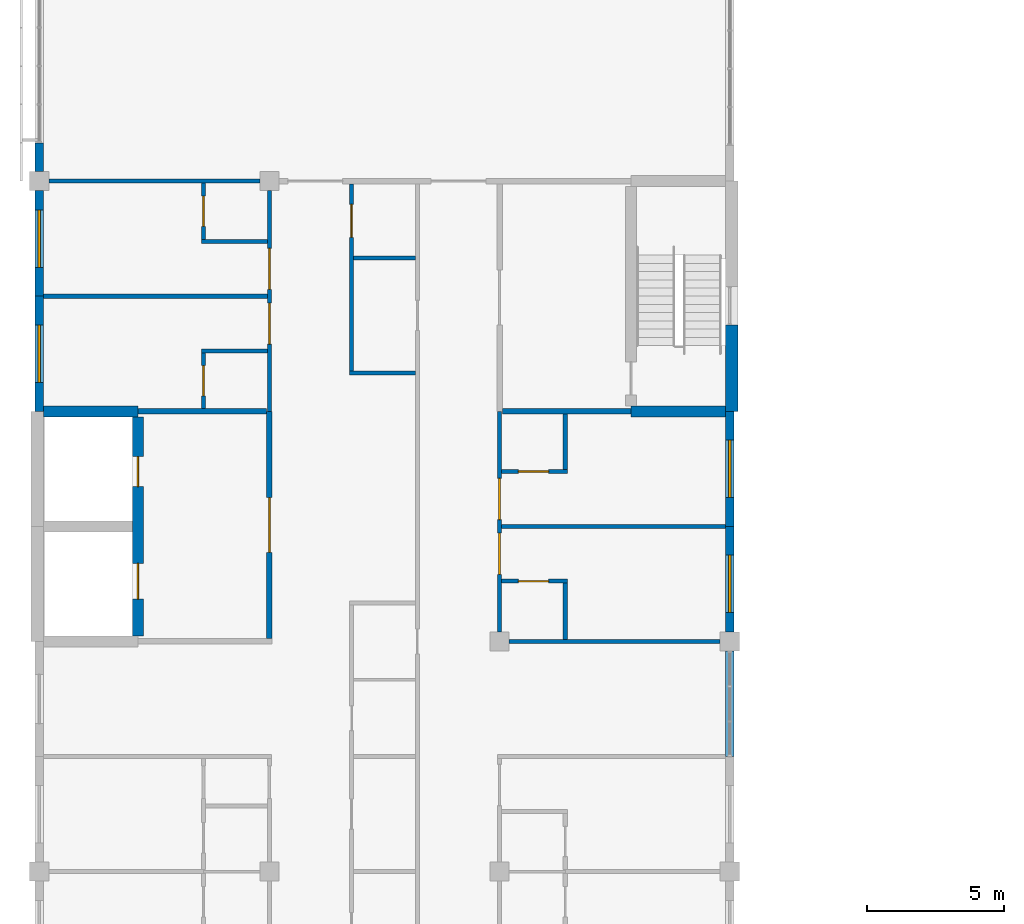
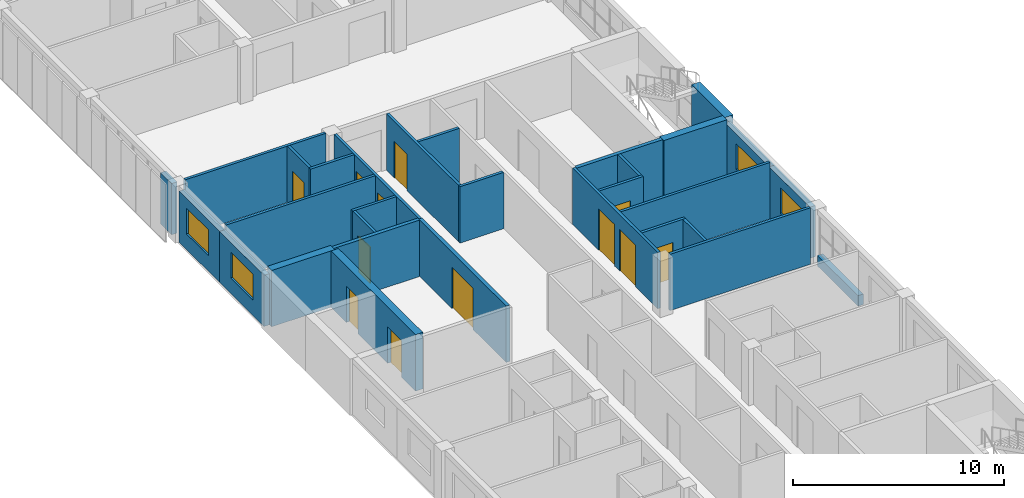
# One storey, part 31 of 45: 30 walls, 12 doors, 4 windows, 16 openings.
"""IFC4 building model written with IfcOpenShell, lengths in metres."""

from ifc_helpers import new_model, si_unit, direction, frame, frame_2d, origin, place, context, subcontext, project, spatial, rectangle, extrude, material, layer, layer_set, type_object, element, fill, save


model = new_model("IFC4")

# Units and contexts
model_context = context("Model", 3, precision=1e-05, world=origin(), true_north=direction((0.0, 1.0)))
body_context = subcontext(model_context, "Body", "Model", "MODEL_VIEW")
ifc_project = project(units=[si_unit("LENGTHUNIT", "METRE"), si_unit("AREAUNIT", "SQUARE_METRE"), si_unit("VOLUMEUNIT", "CUBIC_METRE"), si_unit("PLANEANGLEUNIT", "RADIAN"), si_unit("MASSUNIT", "GRAM", prefix="KILO")], contexts=[model_context])

# Site, building, storey
site_placement = place(None, origin())
site = spatial("IfcSite", under=ifc_project, at=site_placement, CompositionType="ELEMENT")
building_placement = place(site_placement, origin())
building = spatial("IfcBuilding", under=site, at=building_placement, Name="Yavir Park General Hospital", CompositionType="ELEMENT")
storey_placement = place(building_placement, frame((0.0, 0.0, 22.5)))
storey = spatial("IfcBuildingStorey", under=building, at=storey_placement, Name="L05", CompositionType="ELEMENT", Elevation=22.5)

# Walls
ifc_material_1 = material(Name="Double gypsum board fire partition on steel studs", Category="steel")
ifc_layer_1 = layer(ifc_material_1, 0.199951171875)
ifc_layer_set_1 = layer_set([ifc_layer_1], Name="Double gypsum board fire partition on steel studs")
wall_type_1 = type_object("IfcWallType", Name="Fire-rated partition 200, EI 60", PredefinedType="PARTITIONING", material=ifc_layer_set_1)
wall_1_placement = place(storey_placement, frame((3.60009765625, 75.60009765625, 0.0), z_axis=(0.0, 0.0, 1.0), x_axis=(1.0, 0.0, 0.0)))
element("IfcWall", 1, at=wall_1_placement, inside=storey, type_object=wall_type_1, Name="FP20 L05-102", PredefinedType="PARTITIONING", context=body_context, shape_type="SweptSolid", body=[
    extrude(rectangle(XDim=4.699951171875, YDim=0.199951171875, at=frame_2d((2.35009765625, 0.0))), origin(), (0.0, 0.0, 1.0), 3.260009765625),
])
wall_2_placement = place(storey_placement, frame((16.89990234375, 75.60009765625, 0.0), z_axis=(0.0, 0.0, 1.0), x_axis=(1.0, 0.0, 0.0)))
element("IfcWall", 2, at=wall_2_placement, inside=storey, type_object=wall_type_1, Name="FP20 L05-103", PredefinedType="PARTITIONING", context=body_context, shape_type="SweptSolid", body=[
    extrude(rectangle(XDim=4.7001953125, YDim=0.199951171875, at=frame_2d((2.35009765625, 0.0))), origin(), (0.0, 0.0, 1.0), 3.260009765625),
])

# Wall, opening, door
wall_3_placement = place(storey_placement, frame((8.39990234375, 67.300048828125, 0.0), z_axis=(0.0, 0.0, 1.0), x_axis=(0.0, 1.0, 0.0)))
wall_3 = element("IfcWall", 3, at=wall_3_placement, inside=storey, type_object=wall_type_1, Name="FP20 L05-167", PredefinedType="PARTITIONING", context=body_context, shape_type="SweptSolid", body=[
    extrude(rectangle(XDim=8.300048828125, YDim=0.199951171875, at=frame_2d((4.14990234375, 0.0))), origin(), (0.0, 0.0, 1.0), 3.260009765625),
])
opening_1_placement = place(wall_3_placement, frame((3.14990234375, 0.0, 0.0)))
opening_1 = element("IfcOpeningElement", 4, at=opening_1_placement, cuts=wall_3, Name="Opening L05.D099", PredefinedType="OPENING", context=body_context, shape_type="SweptSolid", body=[
    extrude(rectangle(XDim=2.0, YDim=2.39990234375, at=frame_2d((1.0, 1.199951171875))), frame((0.0, 0.10986328125, 0.0), z_axis=(0.0, -1.0, 0.0), x_axis=(1.0, 0.0, 0.0)), (0.0, 0.0, 1.0), 0.219970703125),
])
ifc_material_2 = material(Name="Steel frame, fire-resisting leaves with vision panels", Category="steel")
door_type_1 = type_object("IfcDoorType", Name="Double fire door with vision panels 2000 x 2400, EI 60", OperationType="DOUBLE_DOOR_SINGLE_SWING", PredefinedType="DOOR", material=ifc_material_2)
door_1_placement = place(opening_1_placement, origin())
door_1 = element("IfcDoor", 5, at=door_1_placement, inside=storey, type_object=door_type_1, Name="L05.D099", OperationType="SINGLE_SWING_LEFT", OverallHeight=2.39990234375, OverallWidth=2.0, PredefinedType="DOOR", context=body_context, shape_type="SweptSolid", body=[
    extrude(rectangle(XDim=2.0, YDim=2.39990234375, at=frame_2d((1.0, 1.199951171875))), frame((0.0, 0.030029296875, 0.0), z_axis=(0.0, -1.0, 0.0), x_axis=(1.0, 0.0, 0.0)), (0.0, 0.0, 1.0), 0.06005859375),
])
fill(opening_1, door_1)

# Wall
ifc_material_3 = material(Name="Gypsum board partition on steel studs", Category="steel")
ifc_layer_2 = layer(ifc_material_3, 0.14990234375)
ifc_layer_set_2 = layer_set([ifc_layer_2], Name="Gypsum board partition on steel studs")
wall_type_2 = type_object("IfcWallType", Name="Gypsum board partition 150", PredefinedType="PARTITIONING", material=ifc_layer_set_2)
wall_4_placement = place(storey_placement, frame((17.14990234375, 67.199951171875, 0.0), z_axis=(0.0, 0.0, 1.0), x_axis=(1.0, 0.0, 0.0)))
element("IfcWall", 6, at=wall_4_placement, inside=storey, type_object=wall_type_2, Name="P15 L05-095", PredefinedType="PARTITIONING", context=body_context, shape_type="SweptSolid", body=[
    extrude(rectangle(XDim=7.7001953125, YDim=0.14990234375, at=frame_2d((3.85009765625, 0.0))), origin(), (0.0, 0.0, 1.0), 3.260009765625),
])

# Wall, opening, door
wall_5_placement = place(storey_placement, frame((16.875, 69.39990234375, 0.0), z_axis=(0.0, 0.0, 1.0), x_axis=(1.0, 0.0, 0.0)))
wall_5 = element("IfcWall", 7, at=wall_5_placement, inside=storey, type_object=wall_type_2, Name="P15 L05-097", PredefinedType="PARTITIONING", context=body_context, shape_type="SweptSolid", body=[
    extrude(rectangle(XDim=2.39990234375, YDim=0.14990234375, at=frame_2d((1.199951171875, 0.0))), origin(), (0.0, 0.0, 1.0), 3.260009765625),
])
opening_2_placement = place(wall_5_placement, frame((0.612548828125, 0.0, 0.0)))
opening_2 = element("IfcOpeningElement", 8, at=opening_2_placement, cuts=wall_5, Name="Opening L05.D066", PredefinedType="OPENING", context=body_context, shape_type="SweptSolid", body=[
    extrude(rectangle(XDim=1.10009765625, YDim=2.10009765625, at=frame_2d((0.550048828125, 1.050048828125))), frame((0.0, 0.0849609375, 0.0), z_axis=(0.0, -1.0, 0.0), x_axis=(1.0, 0.0, 0.0)), (0.0, 0.0, 1.0), 0.169921875),
])
ifc_material_4 = material(Name="Hollow metal frame, solid-core timber leaf", Category="wood")
door_type_2 = type_object("IfcDoorType", Name="Single swing door 1100 x 2100", OperationType="SINGLE_SWING_LEFT", PredefinedType="DOOR", material=ifc_material_4)
door_2_placement = place(opening_2_placement, origin())
door_2 = element("IfcDoor", 9, at=door_2_placement, inside=storey, type_object=door_type_2, Name="L05.D066", OperationType="SINGLE_SWING_RIGHT", OverallHeight=2.10009765625, OverallWidth=1.10009765625, PredefinedType="DOOR", context=body_context, shape_type="SweptSolid", body=[
    extrude(rectangle(XDim=1.10009765625, YDim=2.10009765625, at=frame_2d((0.550048828125, 1.050048828125))), frame((0.0, 0.02490234375, 0.0), z_axis=(0.0, -1.0, 0.0), x_axis=(1.0, 0.0, 0.0)), (0.0, 0.0, 1.0), 0.050048828125),
])
fill(opening_2, door_2)

# Wall
wall_6_placement = place(storey_placement, frame((16.875, 71.39990234375, 0.0), z_axis=(0.0, 0.0, 1.0), x_axis=(1.0, 0.0, 0.0)))
element("IfcWall", 10, at=wall_6_placement, inside=storey, type_object=wall_type_2, Name="P15 L05-099", PredefinedType="PARTITIONING", context=body_context, shape_type="SweptSolid", body=[
    extrude(rectangle(XDim=8.175048828125, YDim=0.14990234375, at=frame_2d((4.08740234375, 0.0))), origin(), (0.0, 0.0, 1.0), 3.260009765625),
])

# Wall, opening, door
wall_7_placement = place(storey_placement, frame((16.875, 73.39990234375, 0.0), z_axis=(0.0, 0.0, 1.0), x_axis=(1.0, 0.0, 0.0)))
wall_7 = element("IfcWall", 11, at=wall_7_placement, inside=storey, type_object=wall_type_2, Name="P15 L05-100", PredefinedType="PARTITIONING", context=body_context, shape_type="SweptSolid", body=[
    extrude(rectangle(XDim=2.39990234375, YDim=0.14990234375, at=frame_2d((1.199951171875, 0.0))), origin(), (0.0, 0.0, 1.0), 3.260009765625),
])
opening_3_placement = place(wall_7_placement, frame((0.612548828125, 0.0, 0.0)))
opening_3 = element("IfcOpeningElement", 12, at=opening_3_placement, cuts=wall_7, Name="Opening L05.D067", PredefinedType="OPENING", context=body_context, shape_type="SweptSolid", body=[
    extrude(rectangle(XDim=1.10009765625, YDim=2.10009765625, at=frame_2d((0.550048828125, 1.050048828125))), frame((0.0, 0.0849609375, 0.0), z_axis=(0.0, -1.0, 0.0), x_axis=(1.0, 0.0, 0.0)), (0.0, 0.0, 1.0), 0.169921875),
])
door_3_placement = place(opening_3_placement, origin())
door_3 = element("IfcDoor", 13, at=door_3_placement, inside=storey, type_object=door_type_2, Name="L05.D067", OperationType="SINGLE_SWING_LEFT", OverallHeight=2.10009765625, OverallWidth=1.10009765625, PredefinedType="DOOR", context=body_context, shape_type="SweptSolid", body=[
    extrude(rectangle(XDim=1.10009765625, YDim=2.10009765625, at=frame_2d((0.550048828125, 1.050048828125))), frame((0.0, 0.02490234375, 0.0), z_axis=(0.0, -1.0, 0.0), x_axis=(1.0, 0.0, 0.0)), (0.0, 0.0, 1.0), 0.050048828125),
])
fill(opening_3, door_3)

# Walls
wall_8_placement = place(storey_placement, frame((11.324951171875, 77.0, 0.0), z_axis=(0.0, 0.0, 1.0), x_axis=(1.0, 0.0, 0.0)))
element("IfcWall", 14, at=wall_8_placement, inside=storey, type_object=wall_type_2, Name="P15 L05-105", PredefinedType="PARTITIONING", context=body_context, shape_type="SweptSolid", body=[
    extrude(rectangle(XDim=2.400146484375, YDim=0.14990234375, at=frame_2d((1.2001953125, 0.0))), origin(), (0.0, 0.0, 1.0), 3.260009765625),
])
wall_9_placement = place(storey_placement, frame((5.925048828125, 77.800048828125, 0.0), z_axis=(0.0, 0.0, 1.0), x_axis=(1.0, 0.0, 0.0)))
element("IfcWall", 15, at=wall_9_placement, inside=storey, type_object=wall_type_2, Name="P15 L05-106", PredefinedType="PARTITIONING", context=body_context, shape_type="SweptSolid", body=[
    extrude(rectangle(XDim=2.39990234375, YDim=0.14990234375, at=frame_2d((1.199951171875, 0.0))), origin(), (0.0, 0.0, 1.0), 3.260009765625),
])
wall_10_placement = place(storey_placement, frame((0.14990234375, 79.800048828125, 0.0), z_axis=(0.0, 0.0, 1.0), x_axis=(1.0, 0.0, 0.0)))
element("IfcWall", 16, at=wall_10_placement, inside=storey, type_object=wall_type_2, Name="P15 L05-107", PredefinedType="PARTITIONING", context=body_context, shape_type="SweptSolid", body=[
    extrude(rectangle(XDim=8.175048828125, YDim=0.14990234375, at=frame_2d((4.08740234375, 0.0))), origin(), (0.0, 0.0, 1.0), 3.260009765625),
])
wall_11_placement = place(storey_placement, frame((11.47509765625, 81.199951171875, 0.0), z_axis=(0.0, 0.0, 1.0), x_axis=(1.0, 0.0, 0.0)))
element("IfcWall", 17, at=wall_11_placement, inside=storey, type_object=wall_type_2, Name="P15 L05-108", PredefinedType="PARTITIONING", context=body_context, shape_type="SweptSolid", body=[
    extrude(rectangle(XDim=2.25, YDim=0.14990234375, at=frame_2d((1.125, 0.0))), origin(), (0.0, 0.0, 1.0), 3.260009765625),
])
wall_12_placement = place(storey_placement, frame((5.925048828125, 81.800048828125, 0.0), z_axis=(0.0, 0.0, 1.0), x_axis=(1.0, 0.0, 0.0)))
element("IfcWall", 18, at=wall_12_placement, inside=storey, type_object=wall_type_2, Name="P15 L05-109", PredefinedType="PARTITIONING", context=body_context, shape_type="SweptSolid", body=[
    extrude(rectangle(XDim=2.39990234375, YDim=0.14990234375, at=frame_2d((1.199951171875, 0.0))), origin(), (0.0, 0.0, 1.0), 3.260009765625),
])
wall_13_placement = place(storey_placement, frame((0.35009765625, 84.0, 0.0), z_axis=(0.0, 0.0, 1.0), x_axis=(1.0, 0.0, 0.0)))
element("IfcWall", 19, at=wall_13_placement, inside=storey, type_object=wall_type_2, Name="P15 L05-110", PredefinedType="PARTITIONING", context=body_context, shape_type="SweptSolid", body=[
    extrude(rectangle(XDim=7.699951171875, YDim=0.14990234375, at=frame_2d((3.85009765625, 0.0))), origin(), (0.0, 0.0, 1.0), 3.260009765625),
])

# Wall, opening, door
wall_14_placement = place(storey_placement, frame((6.0, 75.699951171875, 0.0), z_axis=(0.0, 0.0, 1.0), x_axis=(0.0, 1.0, 0.0)))
wall_14 = element("IfcWall", 20, at=wall_14_placement, inside=storey, type_object=wall_type_2, Name="P15 L05-151", PredefinedType="PARTITIONING", context=body_context, shape_type="SweptSolid", body=[
    extrude(rectangle(XDim=2.025146484375, YDim=0.14990234375, at=frame_2d((1.0126953125, 0.0))), origin(), (0.0, 0.0, 1.0), 3.260009765625),
])
opening_4_placement = place(wall_14_placement, frame((0.46240234375, 0.0, 0.0)))
opening_4 = element("IfcOpeningElement", 21, at=opening_4_placement, cuts=wall_14, Name="Opening L05.D086", PredefinedType="OPENING", context=body_context, shape_type="SweptSolid", body=[
    extrude(rectangle(XDim=1.10009765625, YDim=2.10009765625, at=frame_2d((0.550048828125, 1.050048828125))), frame((0.0, 0.0849609375, 0.0), z_axis=(0.0, -1.0, 0.0), x_axis=(1.0, 0.0, 0.0)), (0.0, 0.0, 1.0), 0.169921875),
])
door_4_placement = place(opening_4_placement, origin())
door_4 = element("IfcDoor", 22, at=door_4_placement, inside=storey, type_object=door_type_2, Name="L05.D086", OperationType="SINGLE_SWING_RIGHT", OverallHeight=2.10009765625, OverallWidth=1.10009765625, PredefinedType="DOOR", context=body_context, shape_type="SweptSolid", body=[
    extrude(rectangle(XDim=1.10009765625, YDim=2.10009765625, at=frame_2d((0.550048828125, 1.050048828125))), frame((0.0, 0.02490234375, 0.0), z_axis=(0.0, -1.0, 0.0), x_axis=(1.0, 0.0, 0.0)), (0.0, 0.0, 1.0), 0.050048828125),
])
fill(opening_4, door_4)

wall_15_placement = place(storey_placement, frame((6.0, 81.875, 0.0), z_axis=(0.0, 0.0, 1.0), x_axis=(0.0, 1.0, 0.0)))
wall_15 = element("IfcWall", 23, at=wall_15_placement, inside=storey, type_object=wall_type_2, Name="P15 L05-152", PredefinedType="PARTITIONING", context=body_context, shape_type="SweptSolid", body=[
    extrude(rectangle(XDim=2.050048828125, YDim=0.14990234375, at=frame_2d((1.02490234375, 0.0))), origin(), (0.0, 0.0, 1.0), 3.260009765625),
])
opening_5_placement = place(wall_15_placement, frame((0.47509765625, 0.0, 0.0)))
opening_5 = element("IfcOpeningElement", 24, at=opening_5_placement, cuts=wall_15, Name="Opening L05.D087", PredefinedType="OPENING", context=body_context, shape_type="SweptSolid", body=[
    extrude(rectangle(XDim=1.10009765625, YDim=2.10009765625, at=frame_2d((0.550048828125, 1.050048828125))), frame((0.0, 0.0849609375, 0.0), z_axis=(0.0, -1.0, 0.0), x_axis=(1.0, 0.0, 0.0)), (0.0, 0.0, 1.0), 0.169921875),
])
door_5_placement = place(opening_5_placement, origin())
door_5 = element("IfcDoor", 25, at=door_5_placement, inside=storey, type_object=door_type_2, Name="L05.D087", OperationType="SINGLE_SWING_LEFT", OverallHeight=2.10009765625, OverallWidth=1.10009765625, PredefinedType="DOOR", context=body_context, shape_type="SweptSolid", body=[
    extrude(rectangle(XDim=1.10009765625, YDim=2.10009765625, at=frame_2d((0.550048828125, 1.050048828125))), frame((0.0, 0.02490234375, 0.0), z_axis=(0.0, -1.0, 0.0), x_axis=(1.0, 0.0, 0.0)), (0.0, 0.0, 1.0), 0.050048828125),
])
fill(opening_5, door_5)

# Wall, openings, doors
wall_16_placement = place(storey_placement, frame((8.39990234375, 75.60009765625, 0.0), z_axis=(0.0, 0.0, 1.0), x_axis=(0.0, 1.0, 0.0)))
wall_16 = element("IfcWall", 26, at=wall_16_placement, inside=storey, type_object=wall_type_2, Name="P15 L05-168", PredefinedType="PARTITIONING", context=body_context, shape_type="SweptSolid", body=[
    extrude(rectangle(XDim=8.0498046875, YDim=0.14990234375, at=frame_2d((4.02490234375, 0.0))), origin(), (0.0, 0.0, 1.0), 3.260009765625),
])
opening_6_placement = place(wall_16_placement, frame((2.449951171875, 0.0, 0.0)))
opening_6 = element("IfcOpeningElement", 27, at=opening_6_placement, cuts=wall_16, Name="Opening L05.D100", PredefinedType="OPENING", context=body_context, shape_type="SweptSolid", body=[
    extrude(rectangle(XDim=1.5, YDim=2.39990234375, at=frame_2d((0.75, 1.199951171875))), frame((0.0, 0.0849609375, 0.0), z_axis=(0.0, -1.0, 0.0), x_axis=(1.0, 0.0, 0.0)), (0.0, 0.0, 1.0), 0.169921875),
])
opening_7_placement = place(wall_16_placement, frame((4.449951171875, 0.0, 0.0)))
opening_7 = element("IfcOpeningElement", 28, at=opening_7_placement, cuts=wall_16, Name="Opening L05.D101", PredefinedType="OPENING", context=body_context, shape_type="SweptSolid", body=[
    extrude(rectangle(XDim=1.5, YDim=2.39990234375, at=frame_2d((0.75, 1.199951171875))), frame((0.0, 0.0849609375, 0.0), z_axis=(0.0, -1.0, 0.0), x_axis=(1.0, 0.0, 0.0)), (0.0, 0.0, 1.0), 0.169921875),
])
ifc_material_5 = material(Name="Solid-core timber leaves, push plates, kick plates", Category="wood")
door_type_3 = type_object("IfcDoorType", Name="Bed door, unequal leaves 1500 x 2400", OperationType="DOUBLE_DOOR_SINGLE_SWING", PredefinedType="DOOR", material=ifc_material_5)
door_6_placement = place(opening_6_placement, origin())
door_6 = element("IfcDoor", 29, at=door_6_placement, inside=storey, type_object=door_type_3, Name="L05.D100", OperationType="SINGLE_SWING_RIGHT", OverallHeight=2.39990234375, OverallWidth=1.5, PredefinedType="DOOR", context=body_context, shape_type="SweptSolid", body=[
    extrude(rectangle(XDim=1.5, YDim=2.39990234375, at=frame_2d((0.75, 1.199951171875))), frame((0.0, 0.030029296875, 0.0), z_axis=(0.0, -1.0, 0.0), x_axis=(1.0, 0.0, 0.0)), (0.0, 0.0, 1.0), 0.06005859375),
])
fill(opening_6, door_6)
door_7_placement = place(opening_7_placement, origin())
door_7 = element("IfcDoor", 30, at=door_7_placement, inside=storey, type_object=door_type_3, Name="L05.D101", OperationType="SINGLE_SWING_RIGHT", OverallHeight=2.39990234375, OverallWidth=1.5, PredefinedType="DOOR", context=body_context, shape_type="SweptSolid", body=[
    extrude(rectangle(XDim=1.5, YDim=2.39990234375, at=frame_2d((0.75, 1.199951171875))), frame((0.0, 0.030029296875, 0.0), z_axis=(0.0, -1.0, 0.0), x_axis=(1.0, 0.0, 0.0)), (0.0, 0.0, 1.0), 0.06005859375),
])
fill(opening_7, door_7)

# Wall, opening, door
wall_17_placement = place(storey_placement, frame((11.39990234375, 77.074951171875, 0.0), z_axis=(0.0, 0.0, 1.0), x_axis=(0.0, 1.0, 0.0)))
wall_17 = element("IfcWall", 31, at=wall_17_placement, inside=storey, type_object=wall_type_2, Name="P15 L05-176", PredefinedType="PARTITIONING", context=body_context, shape_type="SweptSolid", body=[
    extrude(rectangle(XDim=6.824951171875, YDim=0.14990234375, at=frame_2d((3.41259765625, 0.0))), origin(), (0.0, 0.0, 1.0), 3.260009765625),
])
opening_8_placement = place(wall_17_placement, frame((4.875, 0.0, 0.0)))
opening_8 = element("IfcOpeningElement", 32, at=opening_8_placement, cuts=wall_17, Name="Opening L05.D111", PredefinedType="OPENING", context=body_context, shape_type="SweptSolid", body=[
    extrude(rectangle(XDim=1.199951171875, YDim=2.10009765625, at=frame_2d((0.60009765625, 1.050048828125))), frame((0.0, 0.0849609375, 0.0), z_axis=(0.0, -1.0, 0.0), x_axis=(1.0, 0.0, 0.0)), (0.0, 0.0, 1.0), 0.169921875),
])
ifc_material_6 = material(Name="Hollow metal frame, solid-core timber leaf", Category="wood")
door_type_4 = type_object("IfcDoorType", Name="Single swing door 1200 x 2100", OperationType="SINGLE_SWING_LEFT", PredefinedType="DOOR", material=ifc_material_6)
door_8_placement = place(opening_8_placement, origin())
door_8 = element("IfcDoor", 33, at=door_8_placement, inside=storey, type_object=door_type_4, Name="L05.D111", OperationType="SINGLE_SWING_LEFT", OverallHeight=2.10009765625, OverallWidth=1.199951171875, PredefinedType="DOOR", context=body_context, shape_type="SweptSolid", body=[
    extrude(rectangle(XDim=1.199951171875, YDim=2.10009765625, at=frame_2d((0.60009765625, 1.050048828125))), frame((0.0, 0.02490234375, 0.0), z_axis=(0.0, -1.0, 0.0), x_axis=(1.0, 0.0, 0.0)), (0.0, 0.0, 1.0), 0.050048828125),
])
fill(opening_8, door_8)

# Wall, openings, doors
wall_18_placement = place(storey_placement, frame((16.800048828125, 67.550048828125, 0.0), z_axis=(0.0, 0.0, 1.0), x_axis=(0.0, 1.0, 0.0)))
wall_18 = element("IfcWall", 34, at=wall_18_placement, inside=storey, type_object=wall_type_2, Name="P15 L05-191", PredefinedType="PARTITIONING", context=body_context, shape_type="SweptSolid", body=[
    extrude(rectangle(XDim=8.050048828125, YDim=0.14990234375, at=frame_2d((4.02490234375, 0.0))), origin(), (0.0, 0.0, 1.0), 3.260009765625),
])
opening_9_placement = place(wall_18_placement, frame((2.10009765625, 0.0, 0.0)))
opening_9 = element("IfcOpeningElement", 35, at=opening_9_placement, cuts=wall_18, Name="Opening L05.D125", PredefinedType="OPENING", context=body_context, shape_type="SweptSolid", body=[
    extrude(rectangle(XDim=1.5, YDim=2.39990234375, at=frame_2d((0.75, 1.199951171875))), frame((0.0, 0.0849609375, 0.0), z_axis=(0.0, -1.0, 0.0), x_axis=(1.0, 0.0, 0.0)), (0.0, 0.0, 1.0), 0.169921875),
])
opening_10_placement = place(wall_18_placement, frame((4.10009765625, 0.0, 0.0)))
opening_10 = element("IfcOpeningElement", 36, at=opening_10_placement, cuts=wall_18, Name="Opening L05.D126", PredefinedType="OPENING", context=body_context, shape_type="SweptSolid", body=[
    extrude(rectangle(XDim=1.5, YDim=2.39990234375, at=frame_2d((0.75, 1.199951171875))), frame((0.0, 0.0849609375, 0.0), z_axis=(0.0, -1.0, 0.0), x_axis=(1.0, 0.0, 0.0)), (0.0, 0.0, 1.0), 0.169921875),
])
door_9_placement = place(opening_9_placement, origin())
door_9 = element("IfcDoor", 37, at=door_9_placement, inside=storey, type_object=door_type_3, Name="L05.D125", OperationType="SINGLE_SWING_LEFT", OverallHeight=2.39990234375, OverallWidth=1.5, PredefinedType="DOOR", context=body_context, shape_type="SweptSolid", body=[
    extrude(rectangle(XDim=1.5, YDim=2.39990234375, at=frame_2d((0.75, 1.199951171875))), frame((0.0, 0.030029296875, 0.0), z_axis=(0.0, -1.0, 0.0), x_axis=(1.0, 0.0, 0.0)), (0.0, 0.0, 1.0), 0.06005859375),
])
fill(opening_9, door_9)
door_10_placement = place(opening_10_placement, origin())
door_10 = element("IfcDoor", 38, at=door_10_placement, inside=storey, type_object=door_type_3, Name="L05.D126", OperationType="SINGLE_SWING_LEFT", OverallHeight=2.39990234375, OverallWidth=1.5, PredefinedType="DOOR", context=body_context, shape_type="SweptSolid", body=[
    extrude(rectangle(XDim=1.5, YDim=2.39990234375, at=frame_2d((0.75, 1.199951171875))), frame((0.0, 0.030029296875, 0.0), z_axis=(0.0, -1.0, 0.0), x_axis=(1.0, 0.0, 0.0)), (0.0, 0.0, 1.0), 0.06005859375),
])
fill(opening_10, door_10)

# Walls
wall_19_placement = place(storey_placement, frame((19.199951171875, 67.27490234375, 0.0), z_axis=(0.0, 0.0, 1.0), x_axis=(0.0, 1.0, 0.0)))
element("IfcWall", 39, at=wall_19_placement, inside=storey, type_object=wall_type_2, Name="P15 L05-201", PredefinedType="PARTITIONING", context=body_context, shape_type="SweptSolid", body=[
    extrude(rectangle(XDim=2.050048828125, YDim=0.14990234375, at=frame_2d((1.02490234375, 0.0))), origin(), (0.0, 0.0, 1.0), 3.260009765625),
])
wall_20_placement = place(storey_placement, frame((19.199951171875, 73.47509765625, 0.0), z_axis=(0.0, 0.0, 1.0), x_axis=(0.0, 1.0, 0.0)))
element("IfcWall", 40, at=wall_20_placement, inside=storey, type_object=wall_type_2, Name="P15 L05-202", PredefinedType="PARTITIONING", context=body_context, shape_type="SweptSolid", body=[
    extrude(rectangle(XDim=2.02490234375, YDim=0.14990234375, at=frame_2d((1.012451171875, 0.0))), origin(), (0.0, 0.0, 1.0), 3.260009765625),
])

# Wall, opening, window
ifc_material_7 = material(Name="Autoclaved aerated block, mineral wool and ochre mineral render")
ifc_layer_3 = layer(ifc_material_7, 0.300048828125)
ifc_layer_set_3 = layer_set([ifc_layer_3], Name="Autoclaved aerated block, mineral wool and ochre mineral render")
wall_type_3 = type_object("IfcWallType", Name="Ochre render ward wall 300, E 30", PredefinedType="SOLIDWALL", material=ifc_layer_set_3)
wall_21_placement = place(storey_placement, frame((0.0, 75.60009765625, 0.0), z_axis=(0.0, 0.0, 1.0), x_axis=(0.0, 1.0, 0.0)))
wall_21 = element("IfcWall", 41, at=wall_21_placement, inside=storey, type_object=wall_type_3, Name="XW7 L05-089", PredefinedType="SOLIDWALL", context=body_context, shape_type="SweptSolid", body=[
    extrude(rectangle(XDim=4.199951171875, YDim=0.300048828125, at=frame_2d((2.10009765625, 0.0))), origin(), (0.0, 0.0, 1.0), 2.9599609375),
])
opening_11_placement = place(wall_21_placement, frame((1.050048828125, 0.0, 0.89990234375)))
opening_11 = element("IfcOpeningElement", 42, at=opening_11_placement, cuts=wall_21, Name="Opening WAR", PredefinedType="OPENING", context=body_context, shape_type="SweptSolid", body=[
    extrude(rectangle(XDim=2.10009765625, YDim=1.5, at=frame_2d((1.050048828125, 0.75))), frame((0.0, 0.159912109375, 0.0), z_axis=(0.0, -1.0, 0.0), x_axis=(1.0, 0.0, 0.0)), (0.0, 0.0, 1.0), 0.320068359375),
])
ifc_material_8 = material(Name="Aluminium frame, tilt-and-turn sash with opening restrictor, double glazed unit", Category="aluminium")
window_type = type_object("IfcWindowType", Name="Ward window, restricted opening 2100 x 1500", PartitioningType="DOUBLE_PANEL_VERTICAL", PredefinedType="WINDOW", material=ifc_material_8)
window_1_placement = place(opening_11_placement, origin())
window_1 = element("IfcWindow", 43, at=window_1_placement, inside=storey, type_object=window_type, Name="WAR L05-036", OverallHeight=1.5, OverallWidth=2.10009765625, PartitioningType="DOUBLE_PANEL_VERTICAL", PredefinedType="WINDOW", context=body_context, shape_type="SweptSolid", body=[
    extrude(rectangle(XDim=2.10009765625, YDim=1.5, at=frame_2d((1.050048828125, 0.75))), frame((0.0, 0.050048828125, 0.0), z_axis=(0.0, -1.0, 0.0), x_axis=(1.0, 0.0, 0.0)), (0.0, 0.0, 1.0), 0.10009765625),
])
fill(opening_11, window_1)

wall_22_placement = place(storey_placement, frame((0.0, 79.800048828125, 0.0), z_axis=(0.0, 0.0, 1.0), x_axis=(0.0, 1.0, 0.0)))
wall_22 = element("IfcWall", 44, at=wall_22_placement, inside=storey, type_object=wall_type_3, Name="XW7 L05-090", PredefinedType="SOLIDWALL", context=body_context, shape_type="SweptSolid", body=[
    extrude(rectangle(XDim=3.849853515625, YDim=0.300048828125, at=frame_2d((1.9248046875, 0.0))), origin(), (0.0, 0.0, 1.0), 2.9599609375),
])
opening_12_placement = place(wall_22_placement, frame((1.050048828125, 0.0, 0.89990234375)))
opening_12 = element("IfcOpeningElement", 45, at=opening_12_placement, cuts=wall_22, Name="Opening WAR", PredefinedType="OPENING", context=body_context, shape_type="SweptSolid", body=[
    extrude(rectangle(XDim=2.10009765625, YDim=1.5, at=frame_2d((1.050048828125, 0.75))), frame((0.0, 0.159912109375, 0.0), z_axis=(0.0, -1.0, 0.0), x_axis=(1.0, 0.0, 0.0)), (0.0, 0.0, 1.0), 0.320068359375),
])
window_2_placement = place(opening_12_placement, origin())
window_2 = element("IfcWindow", 46, at=window_2_placement, inside=storey, type_object=window_type, Name="WAR L05-037", OverallHeight=1.5, OverallWidth=2.10009765625, PartitioningType="DOUBLE_PANEL_VERTICAL", PredefinedType="WINDOW", context=body_context, shape_type="SweptSolid", body=[
    extrude(rectangle(XDim=2.10009765625, YDim=1.5, at=frame_2d((1.050048828125, 0.75))), frame((0.0, 0.050048828125, 0.0), z_axis=(0.0, -1.0, 0.0), x_axis=(1.0, 0.0, 0.0)), (0.0, 0.0, 1.0), 0.10009765625),
])
fill(opening_12, window_2)

# Walls
wall_23_placement = place(storey_placement, frame((0.0, 84.35009765625, 0.0), z_axis=(0.0, 0.0, 1.0), x_axis=(0.0, 1.0, 0.0)))
element("IfcWall", 47, at=wall_23_placement, inside=storey, type_object=wall_type_3, Name="XW7 L05-091", PredefinedType="SOLIDWALL", context=body_context, shape_type="SweptSolid", body=[
    extrude(rectangle(XDim=1.0498046875, YDim=0.300048828125, at=frame_2d((0.52490234375, 0.0))), origin(), (0.0, 0.0, 1.0), 2.9599609375),
])
wall_24_placement = place(storey_placement, frame((25.199951171875, 63.0, 0.0), z_axis=(0.0, 0.0, 1.0), x_axis=(0.0, 1.0, 0.0)))
element("IfcWall", 48, at=wall_24_placement, inside=storey, type_object=wall_type_3, Name="XW7 L05-111", PredefinedType="SOLIDWALL", context=body_context, shape_type="SweptSolid", body=[
    extrude(rectangle(XDim=3.85009765625, YDim=0.300048828125, at=frame_2d((1.925048828125, 0.0))), origin(), (0.0, 0.0, 1.0), 0.60009765625),
])

# Wall, opening, window
wall_25_placement = place(storey_placement, frame((25.199951171875, 67.550048828125, 0.0), z_axis=(0.0, 0.0, 1.0), x_axis=(0.0, 1.0, 0.0)))
wall_25 = element("IfcWall", 49, at=wall_25_placement, inside=storey, type_object=wall_type_3, Name="XW7 L05-112", PredefinedType="SOLIDWALL", context=body_context, shape_type="SweptSolid", body=[
    extrude(rectangle(XDim=3.849853515625, YDim=0.300048828125, at=frame_2d((1.9248046875, 0.0))), origin(), (0.0, 0.0, 1.0), 2.9599609375),
])
opening_13_placement = place(wall_25_placement, frame((0.699951171875, 0.0, 0.89990234375)))
opening_13 = element("IfcOpeningElement", 50, at=opening_13_placement, cuts=wall_25, Name="Opening WAR", PredefinedType="OPENING", context=body_context, shape_type="SweptSolid", body=[
    extrude(rectangle(XDim=2.10009765625, YDim=1.5, at=frame_2d((1.050048828125, 0.75))), frame((0.0, 0.159912109375, 0.0), z_axis=(0.0, -1.0, 0.0), x_axis=(1.0, 0.0, 0.0)), (0.0, 0.0, 1.0), 0.320068359375),
])
window_3_placement = place(opening_13_placement, origin())
window_3 = element("IfcWindow", 51, at=window_3_placement, inside=storey, type_object=window_type, Name="WAR L05-049", OverallHeight=1.5, OverallWidth=2.10009765625, PartitioningType="DOUBLE_PANEL_VERTICAL", PredefinedType="WINDOW", context=body_context, shape_type="SweptSolid", body=[
    extrude(rectangle(XDim=2.10009765625, YDim=1.5, at=frame_2d((1.050048828125, 0.75))), frame((0.0, 0.050048828125, 0.0), z_axis=(0.0, -1.0, 0.0), x_axis=(1.0, 0.0, 0.0)), (0.0, 0.0, 1.0), 0.10009765625),
])
fill(opening_13, window_3)

wall_26_placement = place(storey_placement, frame((25.199951171875, 71.39990234375, 0.0), z_axis=(0.0, 0.0, 1.0), x_axis=(0.0, 1.0, 0.0)))
wall_26 = element("IfcWall", 52, at=wall_26_placement, inside=storey, type_object=wall_type_3, Name="XW7 L05-113", PredefinedType="SOLIDWALL", context=body_context, shape_type="SweptSolid", body=[
    extrude(rectangle(XDim=4.2001953125, YDim=0.300048828125, at=frame_2d((2.10009765625, 0.0))), origin(), (0.0, 0.0, 1.0), 2.9599609375),
])
opening_14_placement = place(wall_26_placement, frame((1.050048828125, 0.0, 0.89990234375)))
opening_14 = element("IfcOpeningElement", 53, at=opening_14_placement, cuts=wall_26, Name="Opening WAR", PredefinedType="OPENING", context=body_context, shape_type="SweptSolid", body=[
    extrude(rectangle(XDim=2.10009765625, YDim=1.5, at=frame_2d((1.050048828125, 0.75))), frame((0.0, 0.159912109375, 0.0), z_axis=(0.0, -1.0, 0.0), x_axis=(1.0, 0.0, 0.0)), (0.0, 0.0, 1.0), 0.320068359375),
])
window_4_placement = place(opening_14_placement, origin())
window_4 = element("IfcWindow", 54, at=window_4_placement, inside=storey, type_object=window_type, Name="WAR L05-050", OverallHeight=1.5, OverallWidth=2.10009765625, PartitioningType="DOUBLE_PANEL_VERTICAL", PredefinedType="WINDOW", context=body_context, shape_type="SweptSolid", body=[
    extrude(rectangle(XDim=2.10009765625, YDim=1.5, at=frame_2d((1.050048828125, 0.75))), frame((0.0, 0.050048828125, 0.0), z_axis=(0.0, -1.0, 0.0), x_axis=(1.0, 0.0, 0.0)), (0.0, 0.0, 1.0), 0.10009765625),
])
fill(opening_14, window_4)

# Walls
ifc_material_9 = material(Name="Concrete C35/45", Category="concrete")
ifc_layer_4 = layer(ifc_material_9, 0.39990234375)
ifc_layer_set_4 = layer_set([ifc_layer_4], Name="Concrete C35/45")
wall_type_4 = type_object("IfcWallType", Name="Reinforced concrete core wall 400, REI 150", PredefinedType="SHEAR", material=ifc_layer_set_4)
wall_27_placement = place(storey_placement, frame((0.14990234375, 75.60009765625, 0.0), z_axis=(0.0, 0.0, 1.0), x_axis=(1.0, 0.0, 0.0)))
element("IfcWall", 55, at=wall_27_placement, inside=storey, type_object=wall_type_4, Name="CW40 L05-101", PredefinedType="SHEAR", context=body_context, shape_type="SweptSolid", body=[
    extrude(rectangle(XDim=3.4501953125, YDim=0.39990234375, at=frame_2d((1.72509765625, 0.0))), origin(), (0.0, 0.0, 1.0), 3.260009765625),
])
wall_28_placement = place(storey_placement, frame((21.60009765625, 75.60009765625, 0.0), z_axis=(0.0, 0.0, 1.0), x_axis=(1.0, 0.0, 0.0)))
element("IfcWall", 56, at=wall_28_placement, inside=storey, type_object=wall_type_4, Name="CW40 L05-104", PredefinedType="SHEAR", context=body_context, shape_type="SweptSolid", body=[
    extrude(rectangle(XDim=3.449951171875, YDim=0.39990234375, at=frame_2d((1.72509765625, 0.0))), origin(), (0.0, 0.0, 1.0), 3.260009765625),
])

# Wall, openings, doors
wall_29_placement = place(storey_placement, frame((3.60009765625, 67.39990234375, 0.0), z_axis=(0.0, 0.0, 1.0), x_axis=(0.0, 1.0, 0.0)))
wall_29 = element("IfcWall", 57, at=wall_29_placement, inside=storey, type_object=wall_type_4, Name="CW40 L05-142", PredefinedType="SHEAR", context=body_context, shape_type="SweptSolid", body=[
    extrude(rectangle(XDim=8.0, YDim=0.39990234375, at=frame_2d((4.0, 0.0))), origin(), (0.0, 0.0, 1.0), 3.260009765625),
])
opening_15_placement = place(wall_29_placement, frame((1.35009765625, 0.0, 0.0)))
opening_15 = element("IfcOpeningElement", 58, at=opening_15_placement, cuts=wall_29, Name="Opening L05.D076", PredefinedType="OPENING", context=body_context, shape_type="SweptSolid", body=[
    extrude(rectangle(XDim=1.300048828125, YDim=2.10009765625, at=frame_2d((0.64990234375, 1.050048828125))), frame((0.0, 0.2099609375, 0.0), z_axis=(0.0, -1.0, 0.0), x_axis=(1.0, 0.0, 0.0)), (0.0, 0.0, 1.0), 0.419921875),
])
opening_16_placement = place(wall_29_placement, frame((5.449951171875, 0.0, 0.0)))
opening_16 = element("IfcOpeningElement", 59, at=opening_16_placement, cuts=wall_29, Name="Opening L05.D077", PredefinedType="OPENING", context=body_context, shape_type="SweptSolid", body=[
    extrude(rectangle(XDim=1.10009765625, YDim=2.10009765625, at=frame_2d((0.550048828125, 1.050048828125))), frame((0.0, 0.2099609375, 0.0), z_axis=(0.0, -1.0, 0.0), x_axis=(1.0, 0.0, 0.0)), (0.0, 0.0, 1.0), 0.419921875),
])
ifc_material_10 = material(Name="Stainless steel landing door panels", Category="steel")
door_type_5 = type_object("IfcDoorType", Name="Lift landing door 1100 x 2100, EI 60", OperationType="SLIDING_TO_LEFT", PredefinedType="DOOR", material=ifc_material_10)
door_11_placement = place(opening_16_placement, origin())
door_11 = element("IfcDoor", 60, at=door_11_placement, inside=storey, type_object=door_type_5, Name="L05.D077", OperationType="SLIDING_TO_LEFT", OverallHeight=2.10009765625, OverallWidth=1.10009765625, PredefinedType="DOOR", context=body_context, shape_type="SweptSolid", body=[
    extrude(rectangle(XDim=1.10009765625, YDim=2.10009765625, at=frame_2d((0.550048828125, 1.050048828125))), frame((0.0, 0.02490234375, 0.0), z_axis=(0.0, -1.0, 0.0), x_axis=(1.0, 0.0, 0.0)), (0.0, 0.0, 1.0), 0.050048828125),
])
fill(opening_16, door_11)
ifc_material_11 = material(Name="Stainless steel landing door panels", Category="steel")
door_type_6 = type_object("IfcDoorType", Name="Lift landing door 1300 x 2100, EI 60", OperationType="SLIDING_TO_LEFT", PredefinedType="DOOR", material=ifc_material_11)
door_12_placement = place(opening_15_placement, origin())
door_12 = element("IfcDoor", 61, at=door_12_placement, inside=storey, type_object=door_type_6, Name="L05.D076", OperationType="SLIDING_TO_LEFT", OverallHeight=2.10009765625, OverallWidth=1.300048828125, PredefinedType="DOOR", context=body_context, shape_type="SweptSolid", body=[
    extrude(rectangle(XDim=1.300048828125, YDim=2.10009765625, at=frame_2d((0.64990234375, 1.050048828125))), frame((0.0, 0.02490234375, 0.0), z_axis=(0.0, -1.0, 0.0), x_axis=(1.0, 0.0, 0.0)), (0.0, 0.0, 1.0), 0.050048828125),
])
fill(opening_15, door_12)

# Wall
ifc_material_12 = material(Name="Concrete C30/37 precast panel with 150 mm mineral wool insulation", Category="concrete")
ifc_layer_5 = layer(ifc_material_12, 0.449951171875)
ifc_layer_set_5 = layer_set([ifc_layer_5], Name="Concrete C30/37 precast panel with 150 mm mineral wool insulation")
wall_type_5 = type_object("IfcWallType", Name="Stair enclosure wall 450, REI 150", PredefinedType="SOLIDWALL", material=ifc_layer_set_5)
wall_30_placement = place(storey_placement, frame((25.27490234375, 75.60009765625, 0.0), z_axis=(0.0, 0.0, 1.0), x_axis=(0.0, 1.0, 0.0)))
element("IfcWall", 62, at=wall_30_placement, inside=storey, type_object=wall_type_5, Name="XW6 L05-114", PredefinedType="SOLIDWALL", context=body_context, shape_type="SweptSolid", body=[
    extrude(rectangle(XDim=3.14990234375, YDim=0.449951171875, at=frame_2d((1.574951171875, 0.0))), origin(), (0.0, 0.0, 1.0), 3.260009765625),
])

save(model, "model.ifc")
